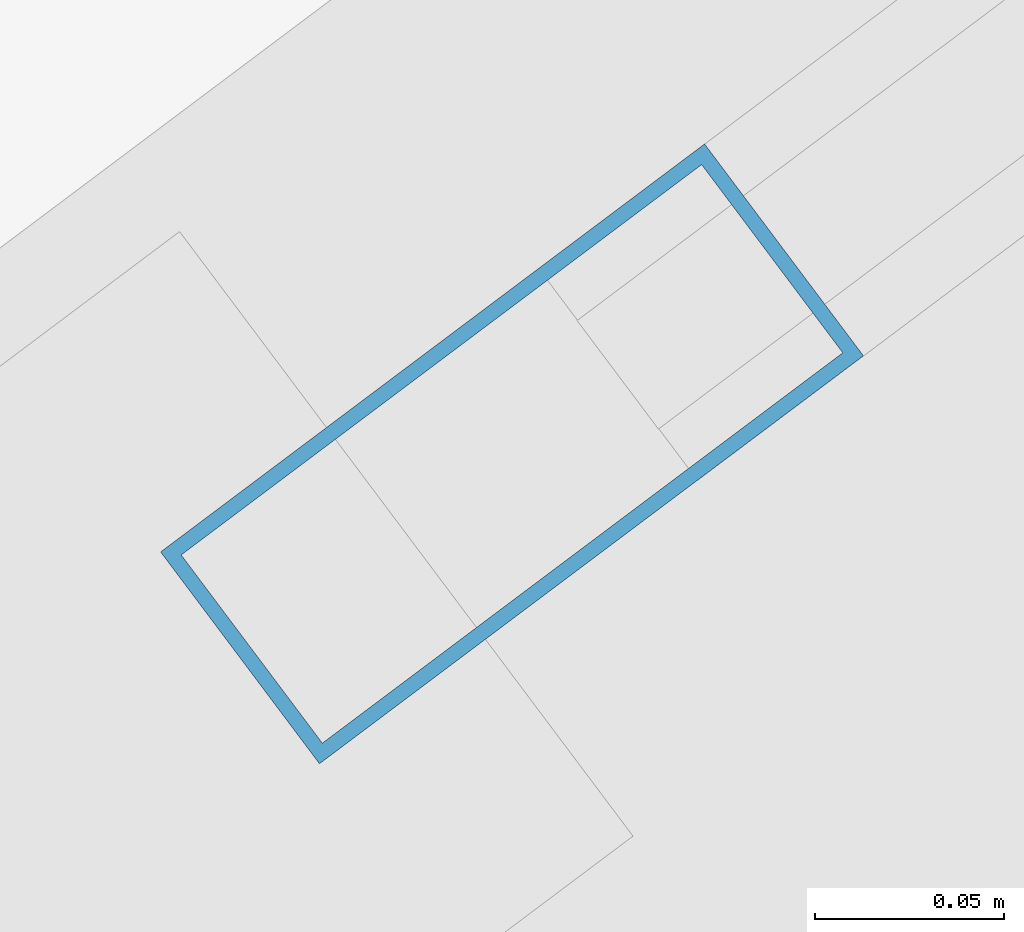
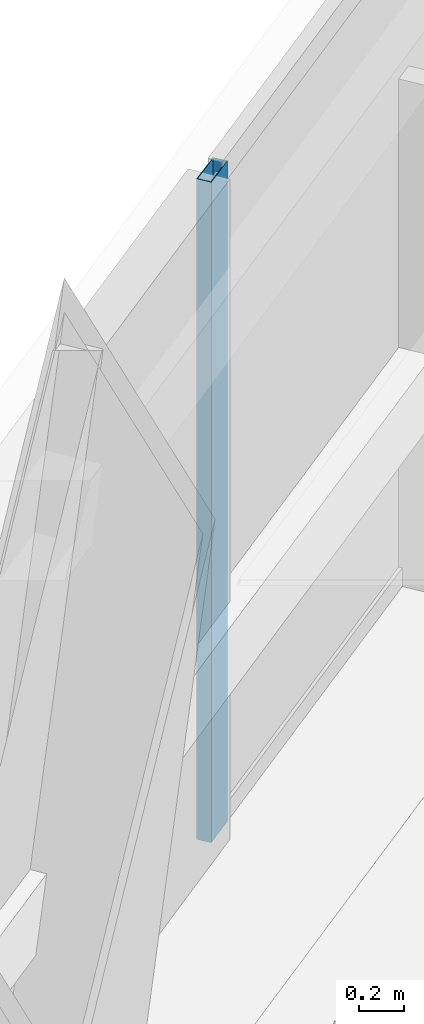
# One storey, part 35 of 65: 1 member, 1 element without a shape of its own.
"""IFC4 building model written with IfcOpenShell, lengths in metres."""

from ifc_helpers import new_model, si_unit, direction, frame, origin, origin_2d, place, context, subcontext, project, spatial, hollow_rectangle, extrude, material, material_profile, profile_set, type_object, element, aggregate, save


model = new_model("IFC4")

# Units and contexts
model_context = context("Model", 3, precision=1e-05, world=origin(), true_north=direction((0.0, 1.0)))
body_context = subcontext(model_context, "Body", "Model", "MODEL_VIEW")
ifc_project = project(units=[si_unit("LENGTHUNIT", "METRE"), si_unit("AREAUNIT", "SQUARE_METRE"), si_unit("VOLUMEUNIT", "CUBIC_METRE"), si_unit("PLANEANGLEUNIT", "RADIAN"), si_unit("MASSUNIT", "GRAM", prefix="KILO")], contexts=[model_context])

# Site, building, storey
site_placement = place(None, origin())
site = spatial("IfcSite", under=ifc_project, at=site_placement, CompositionType="ELEMENT")
building_placement = place(site_placement, origin())
building = spatial("IfcBuilding", under=site, at=building_placement, Name="Tashvorn Skyway Center", CompositionType="ELEMENT")
storey_placement = place(building_placement, frame((0.0, 0.0, 157.0)))
storey = spatial("IfcBuildingStorey", under=building, at=storey_placement, Name="L42", CompositionType="ELEMENT", Elevation=157.0)

# Curtain wall, member
ifc_material = material(Name="Thermally broken bronze-anodized aluminium 6063-T6", Category="aluminium")
curtain_wall_type = type_object("IfcCurtainWallType", Name="CW-CW-Z4", PredefinedType="NOTDEFINED", material=ifc_material)
curtain_wall_placement = place(storey_placement, origin())
curtain_wall = element("IfcCurtainWall", 1, at=curtain_wall_placement, inside=storey, type_object=curtain_wall_type, Name="Tower 2 L42 North Unitised Curtain Wall Glazing Group 1", PredefinedType="NOTDEFINED")
ifc_material_profile = material_profile(ifc_material, hollow_rectangle(XDim=0.070068359375, YDim=0.179931640625, WallThickness=0.00390625, at=origin_2d()), Name="ALU-MULL-70x180")
ifc_profile_set = profile_set([ifc_material_profile], Name="Thermally broken bronze-anodized aluminium 6063-T6")
member_type = type_object("IfcMemberType", Name="CWM-CW-Z4", PredefinedType="MULLION", material=ifc_profile_set)
member_placement = place(storey_placement, frame((94.887939453125, 38.64111328125, 0.0), z_axis=(0.0, 0.0, 1.0), x_axis=(-0.600000000002, 0.799999999998, 0.0)))
member = element("IfcMember", 2, at=member_placement, type_object=member_type, Name="CW-Z4 mullion 1", PredefinedType="MULLION", context=body_context, shape_type="SweptSolid", body=[
    extrude(hollow_rectangle(XDim=0.070068359375, YDim=0.179931640625, WallThickness=0.00390625, at=origin_2d()), origin(), (0.0, 0.0, 1.0), 3.550048828125),
])
aggregate(curtain_wall, [member])

save(model, "model.ifc")
